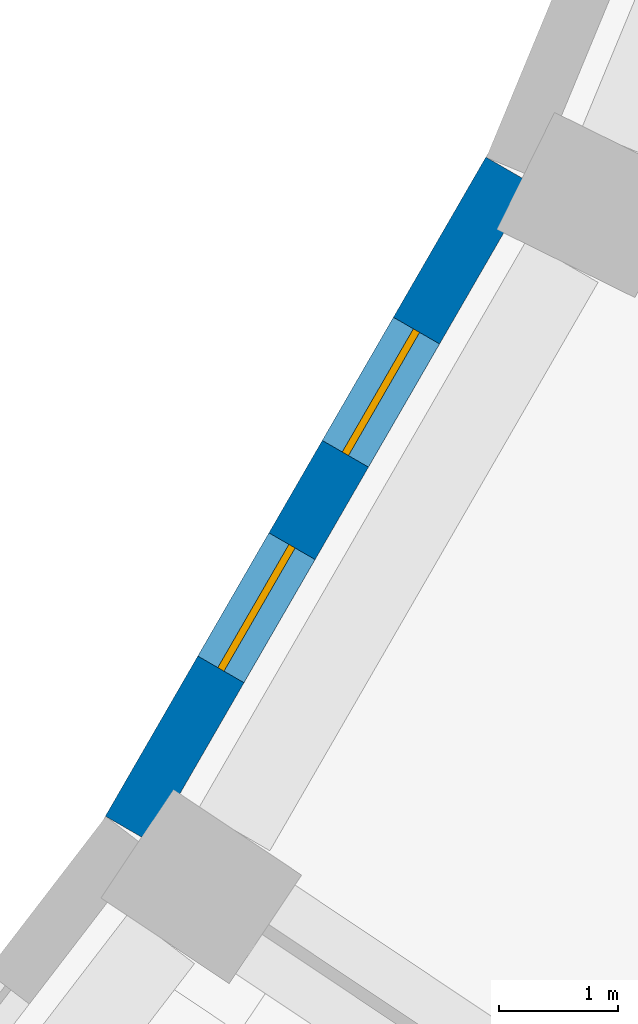
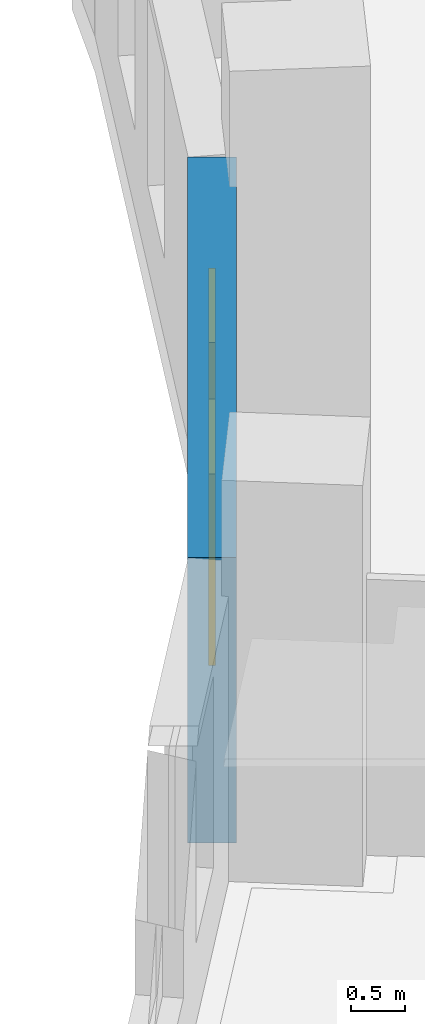
# One storey, part 12 of 20: 2 windows, 1 wall, 2 openings.
"""IFC4 building model written with IfcOpenShell, lengths in metres."""

from ifc_helpers import new_model, si_unit, direction, frame, frame_2d, origin, place, context, subcontext, project, spatial, rectangle, extrude, material, layer, layer_set, type_object, element, fill, save


model = new_model("IFC4")

# Units and contexts
model_context = context("Model", 3, precision=1e-05, world=origin(), true_north=direction((0.0, 1.0)))
body_context = subcontext(model_context, "Body", "Model", "MODEL_VIEW")
ifc_project = project(units=[si_unit("LENGTHUNIT", "METRE"), si_unit("AREAUNIT", "SQUARE_METRE"), si_unit("VOLUMEUNIT", "CUBIC_METRE"), si_unit("PLANEANGLEUNIT", "RADIAN"), si_unit("MASSUNIT", "GRAM", prefix="KILO")], contexts=[model_context])

# Site, building, storey
site_placement = place(None, origin())
site = spatial("IfcSite", under=ifc_project, at=site_placement, CompositionType="ELEMENT")
building_placement = place(site_placement, origin())
building = spatial("IfcBuilding", under=site, at=building_placement, Name="Qamariyya Broadcast Tower", CompositionType="ELEMENT")
storey_placement = place(building_placement, frame((0.0, 0.0, 27.0)))
storey = spatial("IfcBuildingStorey", under=building, at=storey_placement, Name="L03", CompositionType="ELEMENT", Elevation=27.0)

# Wall, openings, windows
ifc_material_1 = material(Name="Precast concrete C40/50 with terracotta facing", Category="masonry")
ifc_layer = layer(ifc_material_1, 0.449951171875)
ifc_layer_set = layer_set([ifc_layer], Name="Precast concrete C40/50 wall 450, terracotta faced")
wall_type = type_object("IfcWallType", Name="Precast concrete C40/50 wall 450, terracotta faced", PredefinedType="SOLIDWALL", material=ifc_layer_set)
wall_placement = place(storey_placement, frame((44.792236328125, -22.154541015625, 0.0), z_axis=(0.0, 0.0, 1.0), x_axis=(-0.50000447882, -0.866022817921, 0.0)))
wall = element("IfcWall", 1, at=wall_placement, inside=storey, type_object=wall_type, Name="e-wl-L03-in180", PredefinedType="SOLIDWALL", context=body_context, shape_type="SweptSolid", body=[
    extrude(rectangle(XDim=6.41943359375, YDim=0.449951171875, at=frame_2d((3.209716796875, 0.0))), origin(), (0.0, 0.0, 1.0), 3.199951171875),
])
opening_1_placement = place(wall_placement, frame((3.65966796875, 0.0, 0.89990234375)))
opening_1 = element("IfcOpeningElement", 2, at=opening_1_placement, cuts=wall, Name="Opening W3", PredefinedType="OPENING", context=body_context, shape_type="SweptSolid", body=[
    extrude(rectangle(XDim=1.199951171875, YDim=2.14990234375, at=frame_2d((0.60009765625, 1.074951171875))), frame((0.0, 0.23486328125, 0.0), z_axis=(0.0, -1.0, 0.0), x_axis=(1.0, 0.0, 0.0)), (0.0, 0.0, 1.0), 0.469970703125),
])
opening_2_placement = place(wall_placement, frame((1.5595703125, 0.0, 0.89990234375)))
opening_2 = element("IfcOpeningElement", 3, at=opening_2_placement, cuts=wall, Name="Opening W3", PredefinedType="OPENING", context=body_context, shape_type="SweptSolid", body=[
    extrude(rectangle(XDim=1.199951171875, YDim=2.14990234375, at=frame_2d((0.60009765625, 1.074951171875))), frame((0.0, 0.23486328125, 0.0), z_axis=(0.0, -1.0, 0.0), x_axis=(1.0, 0.0, 0.0)), (0.0, 0.0, 1.0), 0.469970703125),
])
ifc_material_2 = material(Name="Clear low-e double glazed unit in aluminium frame", Category="aluminium")
window_type = type_object("IfcWindowType", Name="Podium window 1200 x 2150", PartitioningType="SINGLE_PANEL", PredefinedType="WINDOW", material=ifc_material_2)
window_1_placement = place(opening_1_placement, origin())
window_1 = element("IfcWindow", 4, at=window_1_placement, inside=storey, type_object=window_type, Name="e-w-L03-in18a", OverallHeight=2.14990234375, OverallWidth=1.199951171875, PartitioningType="SINGLE_PANEL", PredefinedType="WINDOW", context=body_context, shape_type="SweptSolid", body=[
    extrude(rectangle(XDim=1.199951171875, YDim=2.14990234375, at=frame_2d((0.60009765625, 1.074951171875))), frame((0.0, 0.030029296875, 0.0), z_axis=(0.0, -1.0, 0.0), x_axis=(1.0, 0.0, 0.0)), (0.0, 0.0, 1.0), 0.06005859375),
])
fill(opening_1, window_1)
window_2_placement = place(opening_2_placement, origin())
window_2 = element("IfcWindow", 5, at=window_2_placement, inside=storey, type_object=window_type, Name="e-w-L03-in18b", OverallHeight=2.14990234375, OverallWidth=1.199951171875, PartitioningType="SINGLE_PANEL", PredefinedType="WINDOW", context=body_context, shape_type="SweptSolid", body=[
    extrude(rectangle(XDim=1.199951171875, YDim=2.14990234375, at=frame_2d((0.60009765625, 1.074951171875))), frame((0.0, 0.030029296875, 0.0), z_axis=(0.0, -1.0, 0.0), x_axis=(1.0, 0.0, 0.0)), (0.0, 0.0, 1.0), 0.06005859375),
])
fill(opening_2, window_2)

save(model, "model.ifc")
